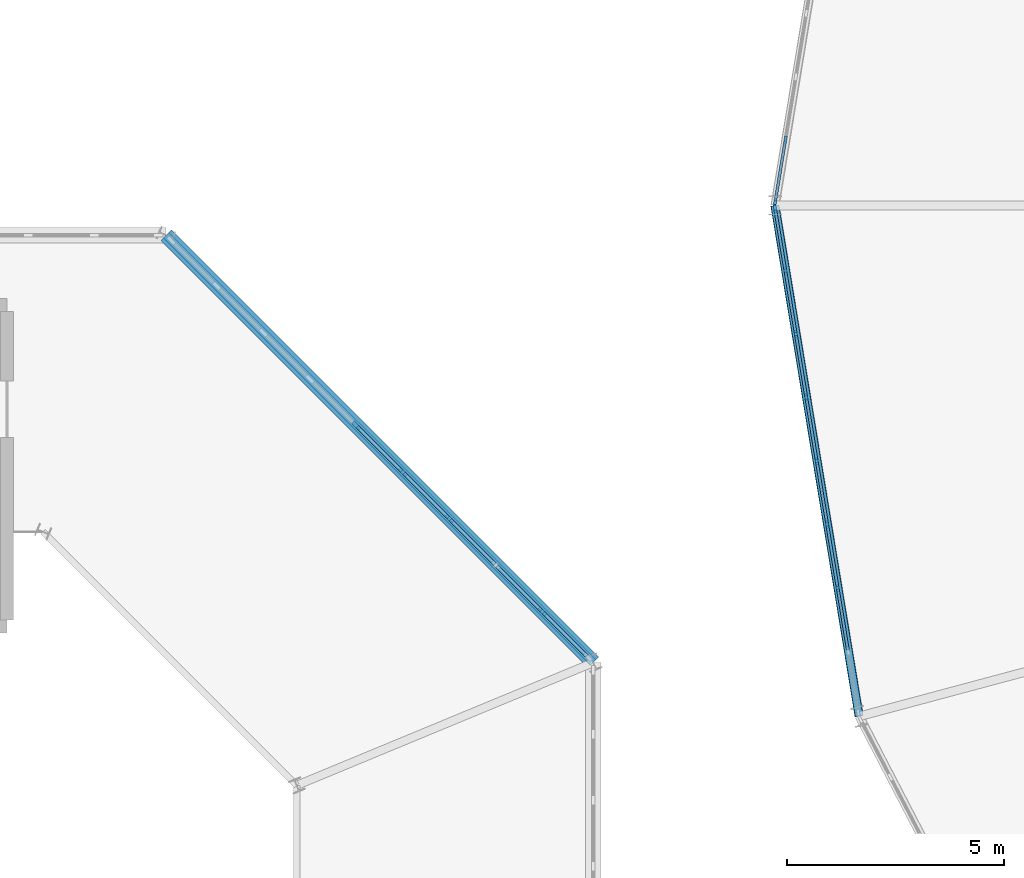
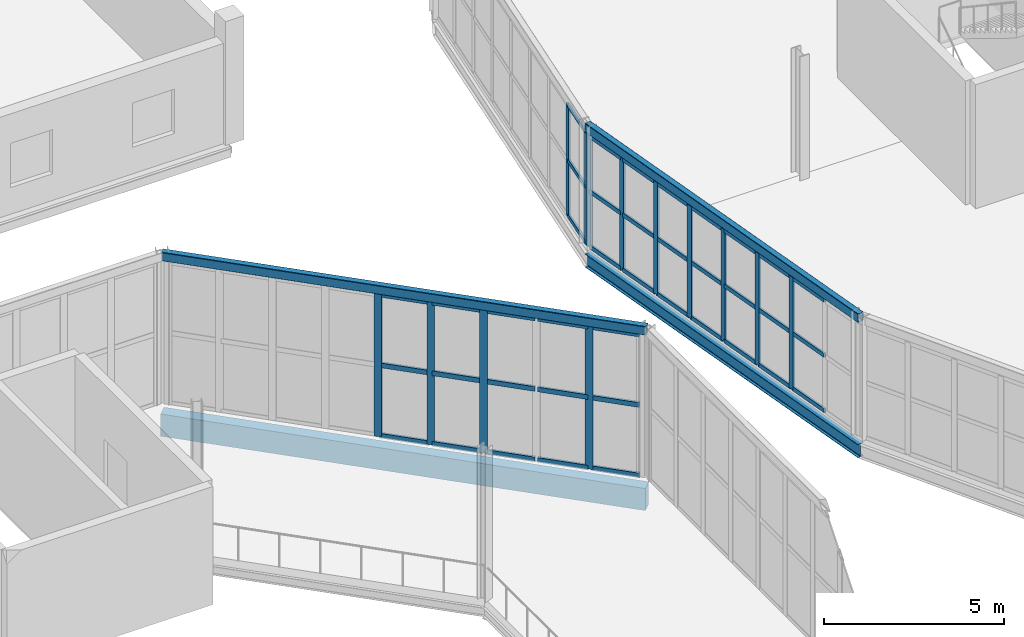
# One storey, part 53 of 161: 52 members, 4 beams, 3 elements without a shape of their own.
"""IFC4 building model written with IfcOpenShell, lengths in metres."""

from ifc_helpers import new_model, si_unit, direction, frame, origin, origin_2d, place, context, subcontext, project, spatial, rectangle, hollow_rectangle, i_section, extrude, material, material_profile, profile_set, type_object, element, aggregate, save


model = new_model("IFC4")

# Units and contexts
model_context = context("Model", 3, precision=1e-05, world=origin(), true_north=direction((0.0, 1.0)))
body_context = subcontext(model_context, "Body", "Model", "MODEL_VIEW")
ifc_project = project(units=[si_unit("LENGTHUNIT", "METRE"), si_unit("AREAUNIT", "SQUARE_METRE"), si_unit("VOLUMEUNIT", "CUBIC_METRE"), si_unit("PLANEANGLEUNIT", "RADIAN"), si_unit("MASSUNIT", "GRAM", prefix="KILO")], contexts=[model_context])

# Site, building, storey
site_placement = place(None, origin())
site = spatial("IfcSite", under=ifc_project, at=site_placement, CompositionType="ELEMENT")
building_placement = place(site_placement, origin())
building = spatial("IfcBuilding", under=site, at=building_placement, Name="Kildeholm Park Wholesale Market", CompositionType="ELEMENT")
storey_placement = place(building_placement, frame((0.0, 0.0, 5.39990234375)))
storey = spatial("IfcBuildingStorey", under=building, at=storey_placement, Name="L01", CompositionType="ELEMENT", Elevation=5.39990234375)

# Beams
ifc_material_1 = material(Name="Steel S355", Category="steel")
ifc_material_profile_1 = material_profile(ifc_material_1, i_section(OverallWidth=0.18994140625, OverallDepth=0.449951171875, WebThickness=0.009521484375, FlangeThickness=0.0146484375, FilletRadius=0.02099609375, at=origin_2d()), Name="IPE 450")
ifc_profile_set_1 = profile_set([ifc_material_profile_1], Name="Steel S355")
beam_type_1 = type_object("IfcBeamType", Name="Beam B-P02 IPE 450", PredefinedType="BEAM", material=ifc_profile_set_1)
beam_1_placement = place(storey_placement, frame((42.0, 89.5, -0.474853515625), z_axis=(0.162706979486, -0.98667443406, 0.0), x_axis=(0.98667443406, 0.162706979486, 0.0)))
element("IfcBeam", 1, at=beam_1_placement, inside=storey, type_object=beam_type_1, Name="Beam BM-V1-L01-CO-12 BM-0112", PredefinedType="BEAM", context=body_context, shape_type="SweptSolid", body=[
    extrude(i_section(OverallWidth=0.18994140625, OverallDepth=0.449951171875, WebThickness=0.009521484375, FlangeThickness=0.0146484375, FilletRadius=0.02099609375, at=origin_2d()), origin(), (0.0, 0.0, 1.0), 11.934814453125),
])
ifc_material_profile_2 = material_profile(ifc_material_1, hollow_rectangle(XDim=0.199951171875, YDim=0.300048828125, WallThickness=0.012451171875, InnerFilletRadius=0.012451171875, OuterFilletRadius=0.02490234375, at=origin_2d()), Name="RHS 300x200x12.5")
ifc_profile_set_2 = profile_set([ifc_material_profile_2], Name="Steel S355")
beam_type_2 = type_object("IfcBeamType", Name="Beam SP-01 RHS 300x200x12.5", PredefinedType="SPANDREL", material=ifc_profile_set_2)
beam_2_placement = place(storey_placement, frame((42.0, 89.5, 4.02294921875), z_axis=(0.162706979486, -0.98667443406, 0.0), x_axis=(0.98667443406, 0.162706979486, 0.0)))
element("IfcBeam", 2, at=beam_2_placement, inside=storey, type_object=beam_type_2, Name="Beam SP-V1-EAV-12 BM-0292", PredefinedType="SPANDREL", context=body_context, shape_type="SweptSolid", body=[
    extrude(hollow_rectangle(XDim=0.199951171875, YDim=0.300048828125, WallThickness=0.012451171875, InnerFilletRadius=0.012451171875, OuterFilletRadius=0.02490234375, at=origin_2d()), origin(), (0.0, 0.0, 1.0), 11.934814453125),
])
beam_3_placement = place(storey_placement, frame((37.81494140625, 78.965087890625, 5.00927734375), z_axis=(-0.707106781187, 0.707106781187, 0.0), x_axis=(-0.707106781187, -0.707106781187, 0.0)))
element("IfcBeam", 3, at=beam_3_placement, inside=storey, type_object=beam_type_2, Name="Beam BM-V3-EAV-00 BM-0480", PredefinedType="SPANDREL", context=body_context, shape_type="SweptSolid", body=[
    extrude(hollow_rectangle(XDim=0.199951171875, YDim=0.300048828125, WallThickness=0.012451171875, InnerFilletRadius=0.012451171875, OuterFilletRadius=0.02490234375, at=origin_2d()), origin(), (0.0, 0.0, 1.0), 13.9296875),
])
ifc_material_2 = material(Name="Precast concrete C40/50", Category="concrete")
ifc_material_profile_3 = material_profile(ifc_material_2, rectangle(XDim=0.35009765625, YDim=0.75, at=origin_2d()), Name="PC-SP 350x750")
ifc_profile_set_3 = profile_set([ifc_material_profile_3], Name="Precast concrete C40/50")
beam_type_3 = type_object("IfcBeamType", Name="Beam SP-03 PC-SP 350x750", PredefinedType="SPANDREL", material=ifc_profile_set_3)
beam_4_placement = place(storey_placement, frame((37.81494140625, 78.965087890625, -0.64501953125), z_axis=(-0.707106781187, 0.707106781187, 0.0), x_axis=(-0.707106781187, -0.707106781187, 0.0)))
element("IfcBeam", 4, at=beam_4_placement, inside=storey, type_object=beam_type_3, Name="Beam BM-V3-L01-CO-00 BM-0479", PredefinedType="SPANDREL", context=body_context, shape_type="SweptSolid", body=[
    extrude(rectangle(XDim=0.35009765625, YDim=0.75, at=origin_2d()), origin(), (0.0, 0.0, 1.0), 13.9296875),
])

# Curtain wall, members
ifc_material_3 = material(Name="Anodised aluminium and low-E double-glazed glass", Category="aluminium")
curtain_wall_type_1 = type_object("IfcCurtainWallType", Name="Market hall glazed arcade stick curtain wall CW-01", PredefinedType="NOTDEFINED", material=ifc_material_3)
curtain_wall_1_placement = place(storey_placement, origin())
curtain_wall_1 = element("IfcCurtainWall", 5, at=curtain_wall_1_placement, inside=storey, type_object=curtain_wall_type_1, Name="Curtain wall CW-V1-OT-11-1 CW-0054", PredefinedType="NOTDEFINED")
ifc_material_4 = material(Name="Anodised aluminium", Category="aluminium")
ifc_material_profile_4 = material_profile(ifc_material_4, rectangle(XDim=0.06494140625, YDim=0.179931640625, at=origin_2d()), Name="CWM 65x180")
ifc_profile_set_4 = profile_set([ifc_material_profile_4], Name="Anodised aluminium")
member_type_1 = type_object("IfcMemberType", Name="Curtain-wall mullion CWM-1 CWM 65x180", PredefinedType="MULLION", material=ifc_profile_set_4)
member_1_placement = place(storey_placement, frame((42.2412109375, 91.002197265625, 0.0), z_axis=(0.0, 0.0, 1.0), x_axis=(0.98667513756, -0.162702713317, 0.0)))
member_1 = element("IfcMember", 6, at=member_1_placement, type_object=member_type_1, Name="CW-01 mullion 8 MEM-1878", PredefinedType="MULLION", context=body_context, shape_type="SweptSolid", body=[
    extrude(rectangle(XDim=0.06494140625, YDim=0.179931640625, at=origin_2d()), origin(), (0.0, 0.0, 1.0), 3.800048828125),
])
member_2_placement = place(storey_placement, frame((42.00537109375, 89.572021484375, 0.0), z_axis=(0.0, 0.0, 1.0), x_axis=(0.98667513756, -0.162702713317, 0.0)))
member_2 = element("IfcMember", 7, at=member_2_placement, type_object=member_type_1, Name="CW-01 mullion 9 MEM-1879", PredefinedType="MULLION", context=body_context, shape_type="SweptSolid", body=[
    extrude(rectangle(XDim=0.06494140625, YDim=0.179931640625, at=origin_2d()), origin(), (0.0, 0.0, 1.0), 3.800048828125),
])

curtain_wall_2_placement = place(storey_placement, origin())
curtain_wall_2 = element("IfcCurtainWall", 8, at=curtain_wall_2_placement, inside=storey, type_object=curtain_wall_type_1, Name="Curtain wall CW-V1-OT-12-1 CW-0059", PredefinedType="NOTDEFINED")
member_3_placement = place(storey_placement, frame((42.00537109375, 89.427978515625, 0.0), z_axis=(0.0, 0.0, 1.0), x_axis=(0.98667513756, 0.162702713317, 0.0)))
member_3 = element("IfcMember", 9, at=member_3_placement, type_object=member_type_1, Name="CW-01 mullion 1 MEM-1996", PredefinedType="MULLION", context=body_context, shape_type="SweptSolid", body=[
    extrude(rectangle(XDim=0.06494140625, YDim=0.179931640625, at=origin_2d()), origin(), (0.0, 0.0, 1.0), 3.800048828125),
])
member_4_placement = place(storey_placement, frame((42.2412109375, 87.997802734375, 0.0), z_axis=(0.0, 0.0, 1.0), x_axis=(0.98667513756, 0.162702713317, 0.0)))
member_4 = element("IfcMember", 10, at=member_4_placement, type_object=member_type_1, Name="CW-01 mullion 2 MEM-1997", PredefinedType="MULLION", context=body_context, shape_type="SweptSolid", body=[
    extrude(rectangle(XDim=0.06494140625, YDim=0.179931640625, at=origin_2d()), origin(), (0.0, 0.0, 1.0), 3.800048828125),
])
member_5_placement = place(storey_placement, frame((42.482177734375, 86.535400390625, 0.0), z_axis=(0.0, 0.0, 1.0), x_axis=(0.98667513756, 0.162702713317, 0.0)))
member_5 = element("IfcMember", 11, at=member_5_placement, type_object=member_type_1, Name="CW-01 mullion 3 MEM-1998", PredefinedType="MULLION", context=body_context, shape_type="SweptSolid", body=[
    extrude(rectangle(XDim=0.06494140625, YDim=0.179931640625, at=origin_2d()), origin(), (0.0, 0.0, 1.0), 3.800048828125),
])
member_6_placement = place(storey_placement, frame((42.723388671875, 85.0732421875, 0.0), z_axis=(0.0, 0.0, 1.0), x_axis=(0.98667513756, 0.162702713317, 0.0)))
member_6 = element("IfcMember", 12, at=member_6_placement, type_object=member_type_1, Name="CW-01 mullion 4 MEM-1999", PredefinedType="MULLION", context=body_context, shape_type="SweptSolid", body=[
    extrude(rectangle(XDim=0.06494140625, YDim=0.179931640625, at=origin_2d()), origin(), (0.0, 0.0, 1.0), 3.800048828125),
])
member_7_placement = place(storey_placement, frame((42.964599609375, 83.611083984375, 0.0), z_axis=(0.0, 0.0, 1.0), x_axis=(0.98667513756, 0.162702713317, 0.0)))
member_7 = element("IfcMember", 13, at=member_7_placement, type_object=member_type_1, Name="CW-01 mullion 5 MEM-2000", PredefinedType="MULLION", context=body_context, shape_type="SweptSolid", body=[
    extrude(rectangle(XDim=0.06494140625, YDim=0.179931640625, at=origin_2d()), origin(), (0.0, 0.0, 1.0), 3.800048828125),
])
member_8_placement = place(storey_placement, frame((43.20556640625, 82.148681640625, 0.0), z_axis=(0.0, 0.0, 1.0), x_axis=(0.98667513756, 0.162702713317, 0.0)))
member_8 = element("IfcMember", 14, at=member_8_placement, type_object=member_type_1, Name="CW-01 mullion 6 MEM-2001", PredefinedType="MULLION", context=body_context, shape_type="SweptSolid", body=[
    extrude(rectangle(XDim=0.06494140625, YDim=0.179931640625, at=origin_2d()), origin(), (0.0, 0.0, 1.0), 3.800048828125),
])
member_9_placement = place(storey_placement, frame((43.44677734375, 80.6865234375, 0.0), z_axis=(0.0, 0.0, 1.0), x_axis=(0.98667513756, 0.162702713317, 0.0)))
member_9 = element("IfcMember", 15, at=member_9_placement, type_object=member_type_1, Name="CW-01 mullion 7 MEM-2002", PredefinedType="MULLION", context=body_context, shape_type="SweptSolid", body=[
    extrude(rectangle(XDim=0.06494140625, YDim=0.179931640625, at=origin_2d()), origin(), (0.0, 0.0, 1.0), 3.800048828125),
])

curtain_wall_type_2 = type_object("IfcCurtainWallType", Name="Clerestory daylight stick curtain wall CW-02", PredefinedType="NOTDEFINED", material=ifc_material_3)
curtain_wall_3_placement = place(storey_placement, origin())
curtain_wall_3 = element("IfcCurtainWall", 16, at=curtain_wall_3_placement, inside=storey, type_object=curtain_wall_type_2, Name="Curtain wall CW-V3-L01-00 CW-0135", PredefinedType="NOTDEFINED")
ifc_material_profile_5 = material_profile(ifc_material_4, rectangle(XDim=0.074951171875, YDim=0.219970703125, at=origin_2d()), Name="CWM 75x220")
ifc_profile_set_5 = profile_set([ifc_material_profile_5], Name="Anodised aluminium")
member_type_2 = type_object("IfcMemberType", Name="Curtain-wall mullion CWM-2 CWM 75x220", PredefinedType="MULLION", material=ifc_profile_set_5)
member_10_placement = place(storey_placement, frame((36.6435546875, 80.136474609375, 0.0), z_axis=(0.0, 0.0, 1.0), x_axis=(-0.707106781187, -0.707106781187, 0.0)))
member_10 = element("IfcMember", 17, at=member_10_placement, type_object=member_type_2, Name="CW-02 mullion 2 MEM-4145", PredefinedType="MULLION", context=body_context, shape_type="SweptSolid", body=[
    extrude(rectangle(XDim=0.074951171875, YDim=0.219970703125, at=origin_2d()), origin(), (0.0, 0.0, 1.0), 4.85009765625),
])
member_11_placement = place(storey_placement, frame((34.498779296875, 82.28125, 0.0), z_axis=(0.0, 0.0, 1.0), x_axis=(-0.707106781187, -0.707106781187, 0.0)))
member_11 = element("IfcMember", 18, at=member_11_placement, type_object=member_type_2, Name="CW-02 mullion 4 MEM-4147", PredefinedType="MULLION", context=body_context, shape_type="SweptSolid", body=[
    extrude(rectangle(XDim=0.074951171875, YDim=0.219970703125, at=origin_2d()), origin(), (0.0, 0.0, 1.0), 4.85009765625),
])
member_12_placement = place(storey_placement, frame((33.42626953125, 83.353759765625, 0.0), z_axis=(0.0, 0.0, 1.0), x_axis=(-0.707106781187, -0.707106781187, 0.0)))
member_12 = element("IfcMember", 19, at=member_12_placement, type_object=member_type_2, Name="CW-02 mullion 5 MEM-4148", PredefinedType="MULLION", context=body_context, shape_type="SweptSolid", body=[
    extrude(rectangle(XDim=0.074951171875, YDim=0.219970703125, at=origin_2d()), origin(), (0.0, 0.0, 1.0), 4.85009765625),
])
member_13_placement = place(storey_placement, frame((32.353759765625, 84.42626953125, 0.0), z_axis=(0.0, 0.0, 1.0), x_axis=(-0.707106781187, -0.707106781187, 0.0)))
member_13 = element("IfcMember", 20, at=member_13_placement, type_object=member_type_2, Name="CW-02 mullion 6 MEM-4149", PredefinedType="MULLION", context=body_context, shape_type="SweptSolid", body=[
    extrude(rectangle(XDim=0.074951171875, YDim=0.219970703125, at=origin_2d()), origin(), (0.0, 0.0, 1.0), 4.85009765625),
])

# Member
ifc_material_profile_6 = material_profile(ifc_material_4, rectangle(XDim=0.06494140625, YDim=0.139892578125, at=origin_2d()), Name="CWT 65x140")
ifc_profile_set_6 = profile_set([ifc_material_profile_6], Name="Anodised aluminium")
member_type_3 = type_object("IfcMemberType", Name="Curtain-wall transom CWT-1 CWT 65x140", PredefinedType="USERDEFINED", material=ifc_profile_set_6)
member_14_placement = place(storey_placement, frame((42.23583984375, 90.97021484375, 0.03271484375), z_axis=(-0.162768740023, -0.986664247488, 0.0), x_axis=(0.986664247488, -0.162768740023, 0.0)))
member_14 = element("IfcMember", 21, at=member_14_placement, type_object=member_type_3, Name="CW-01 transom 8.1 MEM-1901", ObjectType="TRANSOM", PredefinedType="USERDEFINED", context=body_context, shape_type="SweptSolid", body=[
    extrude(rectangle(XDim=0.06494140625, YDim=0.139892578125, at=origin_2d()), origin(), (0.0, 0.0, 1.0), 1.384521484375),
])

member_15_placement = place(storey_placement, frame((42.23583984375, 90.97021484375, 1.900146484375), z_axis=(-0.162768740023, -0.986664247488, 0.0), x_axis=(0.986664247488, -0.162768740023, 0.0)))
member_15 = element("IfcMember", 22, at=member_15_placement, type_object=member_type_3, Name="CW-01 transom 8.2 MEM-1902", ObjectType="TRANSOM", PredefinedType="USERDEFINED", context=body_context, shape_type="SweptSolid", body=[
    extrude(rectangle(XDim=0.06494140625, YDim=0.139892578125, at=origin_2d()), origin(), (0.0, 0.0, 1.0), 1.384521484375),
])

member_16_placement = place(storey_placement, frame((42.23583984375, 90.97021484375, 3.767578125), z_axis=(-0.162768740023, -0.986664247488, 0.0), x_axis=(0.986664247488, -0.162768740023, 0.0)))
member_16 = element("IfcMember", 23, at=member_16_placement, type_object=member_type_3, Name="CW-01 transom 8.3 MEM-1903", ObjectType="TRANSOM", PredefinedType="USERDEFINED", context=body_context, shape_type="SweptSolid", body=[
    extrude(rectangle(XDim=0.06494140625, YDim=0.139892578125, at=origin_2d()), origin(), (0.0, 0.0, 1.0), 1.384521484375),
])

aggregate(curtain_wall_1, [member_1, member_2, member_14, member_15, member_16])

member_17_placement = place(storey_placement, frame((42.010498046875, 89.395751953125, 0.03271484375), z_axis=(0.162768740023, -0.986664247488, 0.0), x_axis=(0.986664247488, 0.162768740023, 0.0)))
member_17 = element("IfcMember", 24, at=member_17_placement, type_object=member_type_3, Name="CW-01 transom 1.1 MEM-2005", ObjectType="TRANSOM", PredefinedType="USERDEFINED", context=body_context, shape_type="SweptSolid", body=[
    extrude(rectangle(XDim=0.06494140625, YDim=0.139892578125, at=origin_2d()), origin(), (0.0, 0.0, 1.0), 1.384521484375),
])

member_18_placement = place(storey_placement, frame((42.010498046875, 89.395751953125, 1.900146484375), z_axis=(0.162768740023, -0.986664247488, 0.0), x_axis=(0.986664247488, 0.162768740023, 0.0)))
member_18 = element("IfcMember", 25, at=member_18_placement, type_object=member_type_3, Name="CW-01 transom 1.2 MEM-2006", ObjectType="TRANSOM", PredefinedType="USERDEFINED", context=body_context, shape_type="SweptSolid", body=[
    extrude(rectangle(XDim=0.06494140625, YDim=0.139892578125, at=origin_2d()), origin(), (0.0, 0.0, 1.0), 1.384521484375),
])

member_19_placement = place(storey_placement, frame((42.010498046875, 89.395751953125, 3.767578125), z_axis=(0.162768740023, -0.986664247488, 0.0), x_axis=(0.986664247488, 0.162768740023, 0.0)))
member_19 = element("IfcMember", 26, at=member_19_placement, type_object=member_type_3, Name="CW-01 transom 1.3 MEM-2007", ObjectType="TRANSOM", PredefinedType="USERDEFINED", context=body_context, shape_type="SweptSolid", body=[
    extrude(rectangle(XDim=0.06494140625, YDim=0.139892578125, at=origin_2d()), origin(), (0.0, 0.0, 1.0), 1.384521484375),
])

member_20_placement = place(storey_placement, frame((42.246337890625, 87.965576171875, 0.03271484375), z_axis=(0.162834009189, -0.9866534779, 0.0), x_axis=(0.9866534779, 0.162834009189, 0.0)))
member_20 = element("IfcMember", 27, at=member_20_placement, type_object=member_type_3, Name="CW-01 transom 2.1 MEM-2008", ObjectType="TRANSOM", PredefinedType="USERDEFINED", context=body_context, shape_type="SweptSolid", body=[
    extrude(rectangle(XDim=0.06494140625, YDim=0.139892578125, at=origin_2d()), origin(), (0.0, 0.0, 1.0), 1.416748046875),
])

member_21_placement = place(storey_placement, frame((42.246337890625, 87.965576171875, 1.900146484375), z_axis=(0.162834009189, -0.9866534779, 0.0), x_axis=(0.9866534779, 0.162834009189, 0.0)))
member_21 = element("IfcMember", 28, at=member_21_placement, type_object=member_type_3, Name="CW-01 transom 2.2 MEM-2009", ObjectType="TRANSOM", PredefinedType="USERDEFINED", context=body_context, shape_type="SweptSolid", body=[
    extrude(rectangle(XDim=0.06494140625, YDim=0.139892578125, at=origin_2d()), origin(), (0.0, 0.0, 1.0), 1.416748046875),
])

member_22_placement = place(storey_placement, frame((42.246337890625, 87.965576171875, 3.767578125), z_axis=(0.162834009189, -0.9866534779, 0.0), x_axis=(0.9866534779, 0.162834009189, 0.0)))
member_22 = element("IfcMember", 29, at=member_22_placement, type_object=member_type_3, Name="CW-01 transom 2.3 MEM-2010", ObjectType="TRANSOM", PredefinedType="USERDEFINED", context=body_context, shape_type="SweptSolid", body=[
    extrude(rectangle(XDim=0.06494140625, YDim=0.139892578125, at=origin_2d()), origin(), (0.0, 0.0, 1.0), 1.416748046875),
])

member_23_placement = place(storey_placement, frame((42.487548828125, 86.50341796875, 0.03271484375), z_axis=(0.162638607798, -0.98668570642, 0.0), x_axis=(0.98668570642, 0.162638607798, 0.0)))
member_23 = element("IfcMember", 30, at=member_23_placement, type_object=member_type_3, Name="CW-01 transom 3.1 MEM-2011", ObjectType="TRANSOM", PredefinedType="USERDEFINED", context=body_context, shape_type="SweptSolid", body=[
    extrude(rectangle(XDim=0.06494140625, YDim=0.139892578125, at=origin_2d()), origin(), (0.0, 0.0, 1.0), 1.4169921875),
])

member_24_placement = place(storey_placement, frame((42.487548828125, 86.50341796875, 1.900146484375), z_axis=(0.162638607798, -0.98668570642, 0.0), x_axis=(0.98668570642, 0.162638607798, 0.0)))
member_24 = element("IfcMember", 31, at=member_24_placement, type_object=member_type_3, Name="CW-01 transom 3.2 MEM-2012", ObjectType="TRANSOM", PredefinedType="USERDEFINED", context=body_context, shape_type="SweptSolid", body=[
    extrude(rectangle(XDim=0.06494140625, YDim=0.139892578125, at=origin_2d()), origin(), (0.0, 0.0, 1.0), 1.4169921875),
])

member_25_placement = place(storey_placement, frame((42.487548828125, 86.50341796875, 3.767578125), z_axis=(0.162638607798, -0.98668570642, 0.0), x_axis=(0.98668570642, 0.162638607798, 0.0)))
member_25 = element("IfcMember", 32, at=member_25_placement, type_object=member_type_3, Name="CW-01 transom 3.3 MEM-2013", ObjectType="TRANSOM", PredefinedType="USERDEFINED", context=body_context, shape_type="SweptSolid", body=[
    extrude(rectangle(XDim=0.06494140625, YDim=0.139892578125, at=origin_2d()), origin(), (0.0, 0.0, 1.0), 1.4169921875),
])

member_26_placement = place(storey_placement, frame((42.728759765625, 85.041259765625, 0.03271484375), z_axis=(0.162638607798, -0.98668570642, 0.0), x_axis=(0.98668570642, 0.162638607798, 0.0)))
member_26 = element("IfcMember", 33, at=member_26_placement, type_object=member_type_3, Name="CW-01 transom 4.1 MEM-2014", ObjectType="TRANSOM", PredefinedType="USERDEFINED", context=body_context, shape_type="SweptSolid", body=[
    extrude(rectangle(XDim=0.06494140625, YDim=0.139892578125, at=origin_2d()), origin(), (0.0, 0.0, 1.0), 1.4169921875),
])

member_27_placement = place(storey_placement, frame((42.728759765625, 85.041259765625, 1.900146484375), z_axis=(0.162638607798, -0.98668570642, 0.0), x_axis=(0.98668570642, 0.162638607798, 0.0)))
member_27 = element("IfcMember", 34, at=member_27_placement, type_object=member_type_3, Name="CW-01 transom 4.2 MEM-2015", ObjectType="TRANSOM", PredefinedType="USERDEFINED", context=body_context, shape_type="SweptSolid", body=[
    extrude(rectangle(XDim=0.06494140625, YDim=0.139892578125, at=origin_2d()), origin(), (0.0, 0.0, 1.0), 1.4169921875),
])

member_28_placement = place(storey_placement, frame((42.728759765625, 85.041259765625, 3.767578125), z_axis=(0.162638607798, -0.98668570642, 0.0), x_axis=(0.98668570642, 0.162638607798, 0.0)))
member_28 = element("IfcMember", 35, at=member_28_placement, type_object=member_type_3, Name="CW-01 transom 4.3 MEM-2016", ObjectType="TRANSOM", PredefinedType="USERDEFINED", context=body_context, shape_type="SweptSolid", body=[
    extrude(rectangle(XDim=0.06494140625, YDim=0.139892578125, at=origin_2d()), origin(), (0.0, 0.0, 1.0), 1.4169921875),
])

member_29_placement = place(storey_placement, frame((42.9697265625, 83.578857421875, 0.03271484375), z_axis=(0.162834009189, -0.9866534779, 0.0), x_axis=(0.9866534779, 0.162834009189, 0.0)))
member_29 = element("IfcMember", 36, at=member_29_placement, type_object=member_type_3, Name="CW-01 transom 5.1 MEM-2017", ObjectType="TRANSOM", PredefinedType="USERDEFINED", context=body_context, shape_type="SweptSolid", body=[
    extrude(rectangle(XDim=0.06494140625, YDim=0.139892578125, at=origin_2d()), origin(), (0.0, 0.0, 1.0), 1.416748046875),
])

member_30_placement = place(storey_placement, frame((42.9697265625, 83.578857421875, 1.900146484375), z_axis=(0.162834009189, -0.9866534779, 0.0), x_axis=(0.9866534779, 0.162834009189, 0.0)))
member_30 = element("IfcMember", 37, at=member_30_placement, type_object=member_type_3, Name="CW-01 transom 5.2 MEM-2018", ObjectType="TRANSOM", PredefinedType="USERDEFINED", context=body_context, shape_type="SweptSolid", body=[
    extrude(rectangle(XDim=0.06494140625, YDim=0.139892578125, at=origin_2d()), origin(), (0.0, 0.0, 1.0), 1.416748046875),
])

member_31_placement = place(storey_placement, frame((42.9697265625, 83.578857421875, 3.767578125), z_axis=(0.162834009189, -0.9866534779, 0.0), x_axis=(0.9866534779, 0.162834009189, 0.0)))
member_31 = element("IfcMember", 38, at=member_31_placement, type_object=member_type_3, Name="CW-01 transom 5.3 MEM-2019", ObjectType="TRANSOM", PredefinedType="USERDEFINED", context=body_context, shape_type="SweptSolid", body=[
    extrude(rectangle(XDim=0.06494140625, YDim=0.139892578125, at=origin_2d()), origin(), (0.0, 0.0, 1.0), 1.416748046875),
])

member_32_placement = place(storey_placement, frame((43.2109375, 82.11669921875, 0.03271484375), z_axis=(0.162638607798, -0.98668570642, 0.0), x_axis=(0.98668570642, 0.162638607798, 0.0)))
member_32 = element("IfcMember", 39, at=member_32_placement, type_object=member_type_3, Name="CW-01 transom 6.1 MEM-2020", ObjectType="TRANSOM", PredefinedType="USERDEFINED", context=body_context, shape_type="SweptSolid", body=[
    extrude(rectangle(XDim=0.06494140625, YDim=0.139892578125, at=origin_2d()), origin(), (0.0, 0.0, 1.0), 1.4169921875),
])

member_33_placement = place(storey_placement, frame((43.2109375, 82.11669921875, 1.900146484375), z_axis=(0.162638607798, -0.98668570642, 0.0), x_axis=(0.98668570642, 0.162638607798, 0.0)))
member_33 = element("IfcMember", 40, at=member_33_placement, type_object=member_type_3, Name="CW-01 transom 6.2 MEM-2021", ObjectType="TRANSOM", PredefinedType="USERDEFINED", context=body_context, shape_type="SweptSolid", body=[
    extrude(rectangle(XDim=0.06494140625, YDim=0.139892578125, at=origin_2d()), origin(), (0.0, 0.0, 1.0), 1.4169921875),
])

member_34_placement = place(storey_placement, frame((43.2109375, 82.11669921875, 3.767578125), z_axis=(0.162638607798, -0.98668570642, 0.0), x_axis=(0.98668570642, 0.162638607798, 0.0)))
member_34 = element("IfcMember", 41, at=member_34_placement, type_object=member_type_3, Name="CW-01 transom 6.3 MEM-2022", ObjectType="TRANSOM", PredefinedType="USERDEFINED", context=body_context, shape_type="SweptSolid", body=[
    extrude(rectangle(XDim=0.06494140625, YDim=0.139892578125, at=origin_2d()), origin(), (0.0, 0.0, 1.0), 1.4169921875),
])

member_35_placement = place(storey_placement, frame((43.4521484375, 80.654541015625, 0.03271484375), z_axis=(0.162638607798, -0.98668570642, 0.0), x_axis=(0.98668570642, 0.162638607798, 0.0)))
member_35 = element("IfcMember", 42, at=member_35_placement, type_object=member_type_3, Name="CW-01 transom 7.1 MEM-2023", ObjectType="TRANSOM", PredefinedType="USERDEFINED", context=body_context, shape_type="SweptSolid", body=[
    extrude(rectangle(XDim=0.06494140625, YDim=0.139892578125, at=origin_2d()), origin(), (0.0, 0.0, 1.0), 1.4169921875),
])

member_36_placement = place(storey_placement, frame((43.4521484375, 80.654541015625, 1.900146484375), z_axis=(0.162638607798, -0.98668570642, 0.0), x_axis=(0.98668570642, 0.162638607798, 0.0)))
member_36 = element("IfcMember", 43, at=member_36_placement, type_object=member_type_3, Name="CW-01 transom 7.2 MEM-2024", ObjectType="TRANSOM", PredefinedType="USERDEFINED", context=body_context, shape_type="SweptSolid", body=[
    extrude(rectangle(XDim=0.06494140625, YDim=0.139892578125, at=origin_2d()), origin(), (0.0, 0.0, 1.0), 1.4169921875),
])

member_37_placement = place(storey_placement, frame((43.4521484375, 80.654541015625, 3.767578125), z_axis=(0.162638607798, -0.98668570642, 0.0), x_axis=(0.98668570642, 0.162638607798, 0.0)))
member_37 = element("IfcMember", 44, at=member_37_placement, type_object=member_type_3, Name="CW-01 transom 7.3 MEM-2025", ObjectType="TRANSOM", PredefinedType="USERDEFINED", context=body_context, shape_type="SweptSolid", body=[
    extrude(rectangle(XDim=0.06494140625, YDim=0.139892578125, at=origin_2d()), origin(), (0.0, 0.0, 1.0), 1.4169921875),
])

aggregate(curtain_wall_2, [member_3, member_4, member_5, member_6, member_7, member_8, member_9, member_17, member_18, member_19, member_20, member_21, member_22, member_23, member_24, member_25, member_26, member_27, member_28, member_29, member_30, member_31, member_32, member_33, member_34, member_35, member_36, member_37])

ifc_material_profile_7 = material_profile(ifc_material_4, rectangle(XDim=0.074951171875, YDim=0.159912109375, at=origin_2d()), Name="CWT 75x160")
ifc_profile_set_7 = profile_set([ifc_material_profile_7], Name="Anodised aluminium")
member_type_4 = type_object("IfcMemberType", Name="Curtain-wall transom CWT-2 CWT 75x160", PredefinedType="USERDEFINED", material=ifc_profile_set_7)
member_38_placement = place(storey_placement, frame((37.6630859375, 79.116943359375, 0.03759765625), z_axis=(-0.707106781187, 0.707106781187, 0.0), x_axis=(-0.707106781187, -0.707106781187, 0.0)))
member_38 = element("IfcMember", 45, at=member_38_placement, type_object=member_type_4, Name="CW-02 transom 1.1 MEM-4154", ObjectType="TRANSOM", PredefinedType="USERDEFINED", context=body_context, shape_type="SweptSolid", body=[
    extrude(rectangle(XDim=0.074951171875, YDim=0.159912109375, at=origin_2d()), origin(), (0.0, 0.0, 1.0), 1.404296875),
])

member_39_placement = place(storey_placement, frame((37.6630859375, 79.116943359375, 2.425048828125), z_axis=(-0.707106781187, 0.707106781187, 0.0), x_axis=(-0.707106781187, -0.707106781187, 0.0)))
member_39 = element("IfcMember", 46, at=member_39_placement, type_object=member_type_4, Name="CW-02 transom 1.2 MEM-4155", ObjectType="TRANSOM", PredefinedType="USERDEFINED", context=body_context, shape_type="SweptSolid", body=[
    extrude(rectangle(XDim=0.074951171875, YDim=0.159912109375, at=origin_2d()), origin(), (0.0, 0.0, 1.0), 1.404296875),
])

member_40_placement = place(storey_placement, frame((37.6630859375, 79.116943359375, 4.8125), z_axis=(-0.707106781187, 0.707106781187, 0.0), x_axis=(-0.707106781187, -0.707106781187, 0.0)))
member_40 = element("IfcMember", 47, at=member_40_placement, type_object=member_type_4, Name="CW-02 transom 1.3 MEM-4156", ObjectType="TRANSOM", PredefinedType="USERDEFINED", context=body_context, shape_type="SweptSolid", body=[
    extrude(rectangle(XDim=0.074951171875, YDim=0.159912109375, at=origin_2d()), origin(), (0.0, 0.0, 1.0), 1.404296875),
])

member_41_placement = place(storey_placement, frame((36.616943359375, 80.162841796875, 0.03759765625), z_axis=(-0.707022102811, 0.707191449423, 0.0), x_axis=(-0.707191449423, -0.707022102811, 0.0)))
member_41 = element("IfcMember", 48, at=member_41_placement, type_object=member_type_4, Name="CW-02 transom 2.1 MEM-4157", ObjectType="TRANSOM", PredefinedType="USERDEFINED", context=body_context, shape_type="SweptSolid", body=[
    extrude(rectangle(XDim=0.074951171875, YDim=0.159912109375, at=origin_2d()), origin(), (0.0, 0.0, 1.0), 1.441650390625),
])

member_42_placement = place(storey_placement, frame((36.616943359375, 80.162841796875, 2.425048828125), z_axis=(-0.707022102811, 0.707191449423, 0.0), x_axis=(-0.707191449423, -0.707022102811, 0.0)))
member_42 = element("IfcMember", 49, at=member_42_placement, type_object=member_type_4, Name="CW-02 transom 2.2 MEM-4158", ObjectType="TRANSOM", PredefinedType="USERDEFINED", context=body_context, shape_type="SweptSolid", body=[
    extrude(rectangle(XDim=0.074951171875, YDim=0.159912109375, at=origin_2d()), origin(), (0.0, 0.0, 1.0), 1.441650390625),
])

member_43_placement = place(storey_placement, frame((36.616943359375, 80.162841796875, 4.8125), z_axis=(-0.707022102811, 0.707191449423, 0.0), x_axis=(-0.707191449423, -0.707022102811, 0.0)))
member_43 = element("IfcMember", 50, at=member_43_placement, type_object=member_type_4, Name="CW-02 transom 2.3 MEM-4159", ObjectType="TRANSOM", PredefinedType="USERDEFINED", context=body_context, shape_type="SweptSolid", body=[
    extrude(rectangle(XDim=0.074951171875, YDim=0.159912109375, at=origin_2d()), origin(), (0.0, 0.0, 1.0), 1.441650390625),
])

member_44_placement = place(storey_placement, frame((35.544677734375, 81.2353515625, 0.03759765625), z_axis=(-0.707106781187, 0.707106781187, 0.0), x_axis=(-0.707106781187, -0.707106781187, 0.0)))
member_44 = element("IfcMember", 51, at=member_44_placement, type_object=member_type_4, Name="CW-02 transom 3.1 MEM-4160", ObjectType="TRANSOM", PredefinedType="USERDEFINED", context=body_context, shape_type="SweptSolid", body=[
    extrude(rectangle(XDim=0.074951171875, YDim=0.159912109375, at=origin_2d()), origin(), (0.0, 0.0, 1.0), 1.44189453125),
])

member_45_placement = place(storey_placement, frame((35.544677734375, 81.2353515625, 2.425048828125), z_axis=(-0.707106781187, 0.707106781187, 0.0), x_axis=(-0.707106781187, -0.707106781187, 0.0)))
member_45 = element("IfcMember", 52, at=member_45_placement, type_object=member_type_4, Name="CW-02 transom 3.2 MEM-4161", ObjectType="TRANSOM", PredefinedType="USERDEFINED", context=body_context, shape_type="SweptSolid", body=[
    extrude(rectangle(XDim=0.074951171875, YDim=0.159912109375, at=origin_2d()), origin(), (0.0, 0.0, 1.0), 1.44189453125),
])

member_46_placement = place(storey_placement, frame((35.544677734375, 81.2353515625, 4.8125), z_axis=(-0.707106781187, 0.707106781187, 0.0), x_axis=(-0.707106781187, -0.707106781187, 0.0)))
member_46 = element("IfcMember", 53, at=member_46_placement, type_object=member_type_4, Name="CW-02 transom 3.3 MEM-4162", ObjectType="TRANSOM", PredefinedType="USERDEFINED", context=body_context, shape_type="SweptSolid", body=[
    extrude(rectangle(XDim=0.074951171875, YDim=0.159912109375, at=origin_2d()), origin(), (0.0, 0.0, 1.0), 1.44189453125),
])

member_47_placement = place(storey_placement, frame((34.47216796875, 82.307861328125, 0.03759765625), z_axis=(-0.707191449423, 0.707022102811, 0.0), x_axis=(-0.707022102811, -0.707191449423, 0.0)))
member_47 = element("IfcMember", 54, at=member_47_placement, type_object=member_type_4, Name="CW-02 transom 4.1 MEM-4163", ObjectType="TRANSOM", PredefinedType="USERDEFINED", context=body_context, shape_type="SweptSolid", body=[
    extrude(rectangle(XDim=0.074951171875, YDim=0.159912109375, at=origin_2d()), origin(), (0.0, 0.0, 1.0), 1.441650390625),
])

member_48_placement = place(storey_placement, frame((34.47216796875, 82.307861328125, 2.425048828125), z_axis=(-0.707191449423, 0.707022102811, 0.0), x_axis=(-0.707022102811, -0.707191449423, 0.0)))
member_48 = element("IfcMember", 55, at=member_48_placement, type_object=member_type_4, Name="CW-02 transom 4.2 MEM-4164", ObjectType="TRANSOM", PredefinedType="USERDEFINED", context=body_context, shape_type="SweptSolid", body=[
    extrude(rectangle(XDim=0.074951171875, YDim=0.159912109375, at=origin_2d()), origin(), (0.0, 0.0, 1.0), 1.441650390625),
])

member_49_placement = place(storey_placement, frame((34.47216796875, 82.307861328125, 4.8125), z_axis=(-0.707191449423, 0.707022102811, 0.0), x_axis=(-0.707022102811, -0.707191449423, 0.0)))
member_49 = element("IfcMember", 56, at=member_49_placement, type_object=member_type_4, Name="CW-02 transom 4.3 MEM-4165", ObjectType="TRANSOM", PredefinedType="USERDEFINED", context=body_context, shape_type="SweptSolid", body=[
    extrude(rectangle(XDim=0.074951171875, YDim=0.159912109375, at=origin_2d()), origin(), (0.0, 0.0, 1.0), 1.441650390625),
])

member_50_placement = place(storey_placement, frame((33.399658203125, 83.38037109375, 0.03759765625), z_axis=(-0.707106781187, 0.707106781187, 0.0), x_axis=(-0.707106781187, -0.707106781187, 0.0)))
member_50 = element("IfcMember", 57, at=member_50_placement, type_object=member_type_4, Name="CW-02 transom 5.1 MEM-4166", ObjectType="TRANSOM", PredefinedType="USERDEFINED", context=body_context, shape_type="SweptSolid", body=[
    extrude(rectangle(XDim=0.074951171875, YDim=0.159912109375, at=origin_2d()), origin(), (0.0, 0.0, 1.0), 1.44140625),
])

member_51_placement = place(storey_placement, frame((33.399658203125, 83.38037109375, 2.425048828125), z_axis=(-0.707106781187, 0.707106781187, 0.0), x_axis=(-0.707106781187, -0.707106781187, 0.0)))
member_51 = element("IfcMember", 58, at=member_51_placement, type_object=member_type_4, Name="CW-02 transom 5.2 MEM-4167", ObjectType="TRANSOM", PredefinedType="USERDEFINED", context=body_context, shape_type="SweptSolid", body=[
    extrude(rectangle(XDim=0.074951171875, YDim=0.159912109375, at=origin_2d()), origin(), (0.0, 0.0, 1.0), 1.44140625),
])

member_52_placement = place(storey_placement, frame((33.399658203125, 83.38037109375, 4.8125), z_axis=(-0.707106781187, 0.707106781187, 0.0), x_axis=(-0.707106781187, -0.707106781187, 0.0)))
member_52 = element("IfcMember", 59, at=member_52_placement, type_object=member_type_4, Name="CW-02 transom 5.3 MEM-4168", ObjectType="TRANSOM", PredefinedType="USERDEFINED", context=body_context, shape_type="SweptSolid", body=[
    extrude(rectangle(XDim=0.074951171875, YDim=0.159912109375, at=origin_2d()), origin(), (0.0, 0.0, 1.0), 1.44140625),
])

aggregate(curtain_wall_3, [member_10, member_11, member_12, member_13, member_38, member_39, member_40, member_41, member_42, member_43, member_44, member_45, member_46, member_47, member_48, member_49, member_50, member_51, member_52])

save(model, "model.ifc")
